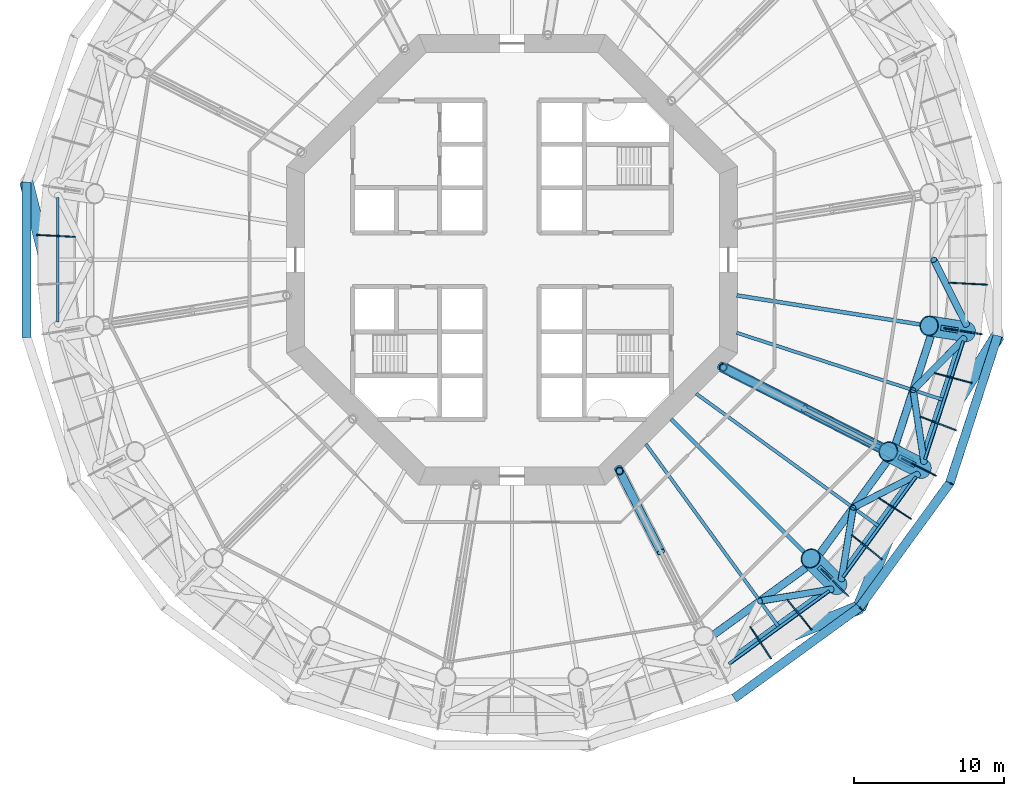
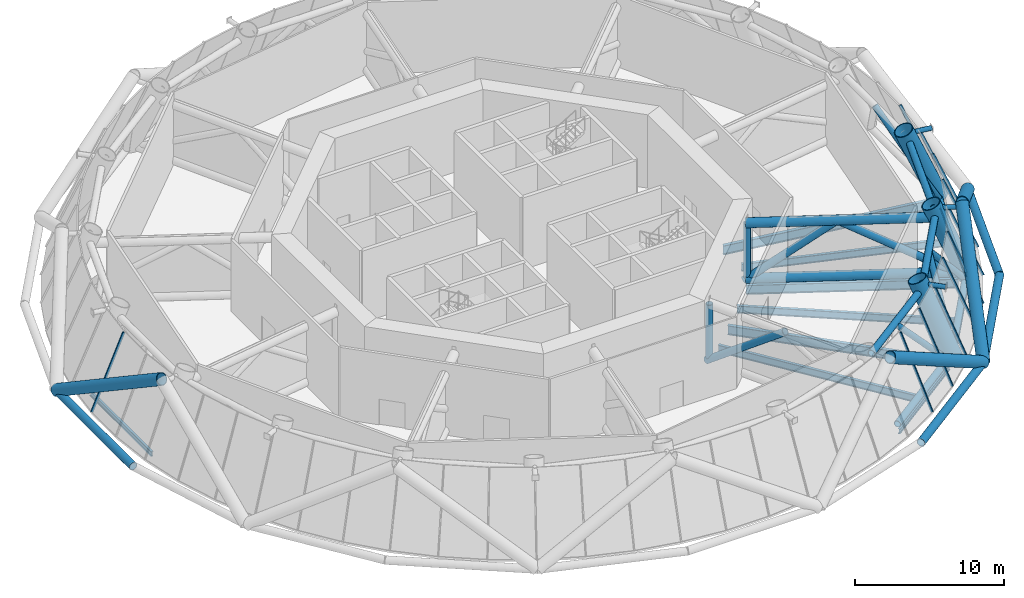
# One storey, part 3 of 18: 44 members, 10 beams, 5 elements without a shape of their own.
"""IFC4 building model written with IfcOpenShell, lengths in metres."""

from ifc_helpers import new_model, si_unit, direction, frame, origin, origin_2d, place, context, subcontext, project, spatial, rectangle, circle, hollow_circle, i_section, extrude, material, layer, layer_set, material_profile, profile_set, type_object, element, aggregate, save


model = new_model("IFC4")

# Units and contexts
model_context = context("Model", 3, precision=1e-05, world=origin(), true_north=direction((0.0, 1.0)))
body_context = subcontext(model_context, "Body", "Model", "MODEL_VIEW")
ifc_project = project(units=[si_unit("LENGTHUNIT", "METRE"), si_unit("AREAUNIT", "SQUARE_METRE"), si_unit("VOLUMEUNIT", "CUBIC_METRE"), si_unit("PLANEANGLEUNIT", "RADIAN"), si_unit("MASSUNIT", "GRAM", prefix="KILO")], contexts=[model_context])

# Site, building, storey
site_placement = place(None, origin())
site = spatial("IfcSite", under=ifc_project, at=site_placement, CompositionType="ELEMENT")
building_placement = place(site_placement, origin())
building = spatial("IfcBuilding", under=site, at=building_placement, Name="Entoto Ring Tower", CompositionType="ELEMENT")
storey_placement = place(building_placement, frame((0.0, 0.0, 138.0)))
storey = spatial("IfcBuildingStorey", under=building, at=storey_placement, Name="L31", CompositionType="ELEMENT", Elevation=138.0)

# Members
ifc_material_1 = material(Name="Steel S355", Category="steel")
ifc_material_profile_1 = material_profile(ifc_material_1, hollow_circle(Radius=0.449951171875, WallThickness=0.044921875, at=origin_2d()), Name="CHS 900 x 45")
ifc_material_2 = material(Name="Concrete C60/75", Category="concrete")
ifc_material_profile_2 = material_profile(ifc_material_2, circle(Radius=0.405029296875, at=origin_2d()), Name="Concrete C60/75 infill")
ifc_profile_set_1 = profile_set([ifc_material_profile_1, ifc_material_profile_2], Name="Steel S355")
member_type_1 = type_object("IfcMemberType", Name="Diagrid diagonal 900 x 45 concrete-filled tube", PredefinedType="BRACE", material=ifc_profile_set_1)
for number, where, z_axis, x_axis, name in (
    (1, (57.70263671875, 85.115478515625, 0.0), (0.209498607785, -0.834845945044, 0.509060488919), (0.969926946461, 0.243396217162, 0.0), "DG2 module 10 10"),
    (2, (113.122314453125, 56.877685546875, 0.0), (-0.798539539663, -0.321230348917, 0.50906351915), (0.373207322886, -0.927747969086, 0.0), "DG2 module 10 17"),
    (3, (113.122314453125, 56.877685546875, 0.0), (0.321230348917, 0.798539539663, 0.50906351915), (-0.927747969086, 0.373207322886, 0.0), "DG2 module 10 18"),
):
    element("IfcMember", number, at=place(storey_placement, frame(where, z_axis=z_axis, x_axis=x_axis)), inside=storey, type_object=member_type_1, Name=name, PredefinedType="BRACE", context=body_context, shape_type="SweptSolid", body=[
        extrude(hollow_circle(Radius=0.449951171875, WallThickness=0.044921875, at=origin_2d()), origin(), (0.0, 0.0, 1.0), 11.786376953125),
    ])
member_1_placement = place(storey_placement, frame((122.29736328125, 74.884521484375, 0.0), z_axis=(-0.457223459156, -0.729241692547, 0.509070979578), x_axis=(0.847241662915, -0.531207647366, 0.0)))
element("IfcMember", 4, at=member_1_placement, inside=storey, type_object=member_type_1, Name="DG2 module 10 19", PredefinedType="BRACE", context=body_context, shape_type="SweptSolid", body=[
    extrude(hollow_circle(Radius=0.449951171875, WallThickness=0.044921875, at=origin_2d()), origin(), (0.0, 0.0, 1.0), 11.7861328125),
])
ifc_material_3 = material(Name="Steel S355", Category="steel")
ifc_material_profile_3 = material_profile(ifc_material_3, hollow_circle(Radius=0.177734375, WallThickness=0.01611328125, at=origin_2d()), Name="CHS 355.6 x 16")
ifc_material_4 = material(Name="Concrete C60/75", Category="concrete")
ifc_material_profile_4 = material_profile(ifc_material_4, circle(Radius=0.161865234375, at=origin_2d()), Name="Concrete C60/75 infill")
ifc_profile_set_2 = profile_set([ifc_material_profile_3, ifc_material_profile_4], Name="Steel S355")
member_type_2 = type_object("IfcMemberType", Name="Diagrid node strut 355.6 x 16", PredefinedType="STRUT", material=ifc_profile_set_2)
member_2_placement = place(storey_placement, frame((110.429443359375, 59.570556640625, 5.672119140625), z_axis=(0.707106781187, -0.707106781187, 0.0), x_axis=(0.707106781187, 0.707106781187, 0.0)))
element("IfcMember", 5, at=member_2_placement, inside=storey, type_object=member_type_2, Name="DS1 strut ring 10 18", PredefinedType="STRUT", context=body_context, shape_type="SweptSolid", body=[
    extrude(hollow_circle(Radius=0.177734375, WallThickness=0.01611328125, at=origin_2d()), origin(), (0.0, 0.0, 1.0), 1.20849609375),
])
member_3_placement = place(storey_placement, frame((115.74267578125, 66.883544921875, 5.672119140625), z_axis=(0.891007115266, -0.453989339683, 0.0), x_axis=(0.453989339683, 0.891007115266, 0.0)))
element("IfcMember", 6, at=member_3_placement, inside=storey, type_object=member_type_2, Name="DS1 strut ring 10 19", PredefinedType="STRUT", context=body_context, shape_type="SweptSolid", body=[
    extrude(hollow_circle(Radius=0.177734375, WallThickness=0.01611328125, at=origin_2d()), origin(), (0.0, 0.0, 1.0), 1.208251953125),
])
member_4_placement = place(storey_placement, frame((118.535888671875, 75.48046875, 5.672119140625), z_axis=(0.987667778842, -0.156564231664, 0.0), x_axis=(0.156564231664, 0.987667778842, 0.0)))
element("IfcMember", 7, at=member_4_placement, inside=storey, type_object=member_type_2, Name="DS1 strut ring 10 20", PredefinedType="STRUT", context=body_context, shape_type="SweptSolid", body=[
    extrude(hollow_circle(Radius=0.177734375, WallThickness=0.01611328125, at=origin_2d()), origin(), (0.0, 0.0, 1.0), 1.20849609375),
])
ifc_material_5 = material(Name="Steel S355", Category="steel")
ifc_material_profile_5 = material_profile(ifc_material_5, hollow_circle(Radius=0.300048828125, WallThickness=0.030029296875, at=origin_2d()), Name="CHS 600 x 30")
ifc_material_6 = material(Name="Concrete C60/75", Category="concrete")
ifc_material_profile_6 = material_profile(ifc_material_6, circle(Radius=0.27001953125, at=origin_2d()), Name="Concrete C60/75 infill")
ifc_profile_set_3 = profile_set([ifc_material_profile_5, ifc_material_profile_6], Name="Steel S355")
member_type_3 = type_object("IfcMemberType", Name="Diagrid ring beam 600 x 30", PredefinedType="CHORD", material=ifc_profile_set_3)
member_5_placement = place(storey_placement, frame((57.70263671875, 85.182861328125, 0.0), z_axis=(0.0, -1.0, 0.0), x_axis=(1.0, 0.0, 0.0)))
element("IfcMember", 8, at=member_5_placement, inside=storey, type_object=member_type_3, Name="DR1 ring 9 09", PredefinedType="CHORD", context=body_context, shape_type="SweptSolid", body=[
    extrude(hollow_circle(Radius=0.300048828125, WallThickness=0.030029296875, at=origin_2d()), origin(), (0.0, 0.0, 1.0), 10.36572265625),
])
for number, where, z_axis, x_axis, name in (
    (9, (104.790771484375, 50.824462890625, 0.0), (0.809025235549, 0.587773909122, 0.0), (-0.587773909122, 0.809025235549, 0.0), "DR1 ring 9 16"),
    (10, (113.082763671875, 56.822998046875, 0.0), (0.587773909122, 0.809025235549, 0.0), (-0.809025235549, 0.587773909122, 0.0), "DR1 ring 9 17"),
):
    element("IfcMember", number, at=place(storey_placement, frame(where, z_axis=z_axis, x_axis=x_axis)), inside=storey, type_object=member_type_3, Name=name, PredefinedType="CHORD", context=body_context, shape_type="SweptSolid", body=[
        extrude(hollow_circle(Radius=0.300048828125, WallThickness=0.030029296875, at=origin_2d()), origin(), (0.0, 0.0, 1.0), 10.365966796875),
    ])
member_6_placement = place(storey_placement, frame((119.114990234375, 65.09033203125, 0.0), z_axis=(0.309032815696, 0.951051375491, 0.0), x_axis=(-0.951051375491, 0.309032815696, 0.0)))
element("IfcMember", 11, at=member_6_placement, inside=storey, type_object=member_type_3, Name="DR1 ring 9 18", PredefinedType="CHORD", context=body_context, shape_type="SweptSolid", body=[
    extrude(hollow_circle(Radius=0.300048828125, WallThickness=0.030029296875, at=origin_2d()), origin(), (0.0, 0.0, 1.0), 10.36572265625),
])

# Beams
ifc_material_7 = material(Name="Steel S355", Category="steel")
ifc_material_profile_7 = material_profile(ifc_material_7, i_section(OverallWidth=0.179931640625, OverallDepth=0.39990234375, WebThickness=0.008544921875, FlangeThickness=0.013427734375, FilletRadius=0.02099609375, at=origin_2d()), Name="IPE 400")
ifc_profile_set_4 = profile_set([ifc_material_profile_7], Name="Steel S355")
beam_type_1 = type_object("IfcBeamType", Name="Edge beam IPE 400", PredefinedType="SPANDREL", material=ifc_profile_set_4)
beam_1_placement = place(storey_placement, frame((59.77685546875, 84.137939453125, -0.35009765625), z_axis=(0.0, -1.0, 0.0), x_axis=(1.0, 0.0, 0.0)))
element("IfcBeam", 12, at=beam_1_placement, inside=storey, type_object=beam_type_1, Name="Edge beam L31 10", PredefinedType="SPANDREL", context=body_context, shape_type="SweptSolid", body=[
    extrude(i_section(OverallWidth=0.179931640625, OverallDepth=0.39990234375, WebThickness=0.008544921875, FlangeThickness=0.013427734375, FilletRadius=0.02099609375, at=origin_2d()), origin(), (0.0, 0.0, 1.0), 8.27587890625),
])
for number, where, z_axis, x_axis, name in (
    (13, (104.4169921875, 53.11669921875, -0.35009765625), (0.809023009896, 0.587776972549, 0.0), (-0.587776972549, 0.809023009896, 0.0), "Edge beam L31 17"),
    (14, (112.018798828125, 58.887451171875, -0.35009765625), (0.587776972549, 0.809023009896, 0.0), (-0.809023009896, 0.587776972549, 0.0), "Edge beam L31 18"),
):
    element("IfcBeam", number, at=place(storey_placement, frame(where, z_axis=z_axis, x_axis=x_axis)), inside=storey, type_object=beam_type_1, Name=name, PredefinedType="SPANDREL", context=body_context, shape_type="SweptSolid", body=[
        extrude(i_section(OverallWidth=0.179931640625, OverallDepth=0.39990234375, WebThickness=0.008544921875, FlangeThickness=0.013427734375, FilletRadius=0.02099609375, at=origin_2d()), origin(), (0.0, 0.0, 1.0), 8.276123046875),
    ])
beam_2_placement = place(storey_placement, frame((117.46533203125, 66.72509765625, -0.35009765625), z_axis=(0.309014697302, 0.951057262656, 0.0), x_axis=(-0.951057262656, 0.309014697302, 0.0)))
element("IfcBeam", 15, at=beam_2_placement, inside=storey, type_object=beam_type_1, Name="Edge beam L31 19", PredefinedType="SPANDREL", context=body_context, shape_type="SweptSolid", body=[
    extrude(i_section(OverallWidth=0.179931640625, OverallDepth=0.39990234375, WebThickness=0.008544921875, FlangeThickness=0.013427734375, FilletRadius=0.02099609375, at=origin_2d()), origin(), (0.0, 0.0, 1.0), 8.27587890625),
])

# Curtain wall, member
ifc_material_8 = material(Name="Anodised aluminium", Category="aluminium")
ifc_layer = layer(ifc_material_8, 0.10009765625)
ifc_layer_set = layer_set([ifc_layer], Name="Anodised aluminium")
curtain_wall_type = type_object("IfcCurtainWallType", Name="Louvre curtain wall system CW7", PredefinedType="NOTDEFINED", material=ifc_layer_set)
curtain_wall_1_placement = place(storey_placement, origin())
curtain_wall_1 = element("IfcCurtainWall", 16, at=curtain_wall_1_placement, inside=storey, type_object=curtain_wall_type, Name="CW7 L31-10", PredefinedType="NOTDEFINED")
ifc_material_9 = material(Name="Anodised aluminium", Category="aluminium")
ifc_material_profile_8 = material_profile(ifc_material_9, rectangle(XDim=0.080078125, YDim=0.199951171875, at=origin_2d()), Name="Mullion 80 x 200 mm anodised aluminium")
ifc_profile_set_5 = profile_set([ifc_material_profile_8], Name="Anodised aluminium")
member_type_4 = type_object("IfcMemberType", Name="Mullion 80 x 200 mm anodised aluminium", PredefinedType="MULLION", material=ifc_profile_set_5)
member_7_placement = place(storey_placement, frame((58.450927734375, 81.6533203125, 0.03857421875), z_axis=(0.384088559131, -0.020104239044, 0.923077352293), x_axis=(0.052271161513, 0.998632928395, 0.0)))
member_7 = element("IfcMember", 17, at=member_7_placement, type_object=member_type_4, Name="MULLION L31-28", PredefinedType="MULLION", context=body_context, shape_type="SweptSolid", body=[
    extrude(rectangle(XDim=0.080078125, YDim=0.199951171875, at=origin_2d()), origin(), (0.0, 0.0, 1.0), 6.25390625),
])
aggregate(curtain_wall_1, [member_7])

# Curtain wall, members
curtain_wall_2_placement = place(storey_placement, origin())
curtain_wall_2 = element("IfcCurtainWall", 18, at=curtain_wall_2_placement, inside=storey, type_object=curtain_wall_type, Name="CW7 L31-17", PredefinedType="NOTDEFINED")
member_8_placement = place(storey_placement, frame((107.206298828125, 53.50439453125, 0.03857421875), z_axis=(-0.209474462982, 0.322565689083, 0.923077367064), x_axis=(-0.838673115143, -0.544635112654, 0.0)))
member_8 = element("IfcMember", 19, at=member_8_placement, type_object=member_type_4, Name="MULLION L31-49", PredefinedType="MULLION", context=body_context, shape_type="SweptSolid", body=[
    extrude(rectangle(XDim=0.080078125, YDim=0.199951171875, at=origin_2d()), origin(), (0.0, 0.0, 1.0), 6.25390625),
])
member_9_placement = place(storey_placement, frame((109.881591796875, 55.4482421875, 0.03857421875), z_axis=(-0.242031891748, 0.298909386308, 0.923078405204), x_axis=(-0.777171592091, -0.629288738535, 0.0)))
member_9 = element("IfcMember", 20, at=member_9_placement, type_object=member_type_4, Name="MULLION L31-50", PredefinedType="MULLION", context=body_context, shape_type="SweptSolid", body=[
    extrude(rectangle(XDim=0.080078125, YDim=0.199951171875, at=origin_2d()), origin(), (0.0, 0.0, 1.0), 6.25390625),
])
aggregate(curtain_wall_2, [member_8, member_9])

curtain_wall_3_placement = place(storey_placement, origin())
curtain_wall_3 = element("IfcCurtainWall", 21, at=curtain_wall_3_placement, inside=storey, type_object=curtain_wall_type, Name="CW7 L31-18", PredefinedType="NOTDEFINED")
member_10_placement = place(storey_placement, frame((112.339111328125, 57.660888671875, 0.03857421875), z_axis=(-0.271971811529, 0.271971811529, 0.923072406405), x_axis=(-0.707106781187, -0.707106781187, 0.0)))
member_10 = element("IfcMember", 22, at=member_10_placement, type_object=member_type_4, Name="MULLION L31-51", PredefinedType="MULLION", context=body_context, shape_type="SweptSolid", body=[
    extrude(rectangle(XDim=0.080078125, YDim=0.199951171875, at=origin_2d()), origin(), (0.0, 0.0, 1.0), 6.254150390625),
])
member_11_placement = place(storey_placement, frame((114.5517578125, 60.118408203125, 0.03857421875), z_axis=(-0.298909386308, 0.242031891748, 0.923078405204), x_axis=(-0.629288738535, -0.777171592091, 0.0)))
member_11 = element("IfcMember", 23, at=member_11_placement, type_object=member_type_4, Name="MULLION L31-52", PredefinedType="MULLION", context=body_context, shape_type="SweptSolid", body=[
    extrude(rectangle(XDim=0.080078125, YDim=0.199951171875, at=origin_2d()), origin(), (0.0, 0.0, 1.0), 6.25390625),
])
member_12_placement = place(storey_placement, frame((116.49560546875, 62.793701171875, 0.03857421875), z_axis=(-0.322565689083, 0.209474462982, 0.923077367064), x_axis=(-0.544635112654, -0.838673115143, 0.0)))
member_12 = element("IfcMember", 24, at=member_12_placement, type_object=member_type_4, Name="MULLION L31-53", PredefinedType="MULLION", context=body_context, shape_type="SweptSolid", body=[
    extrude(rectangle(XDim=0.080078125, YDim=0.199951171875, at=origin_2d()), origin(), (0.0, 0.0, 1.0), 6.25390625),
])
aggregate(curtain_wall_3, [member_10, member_11, member_12])

curtain_wall_4_placement = place(storey_placement, origin())
curtain_wall_4 = element("IfcCurtainWall", 25, at=curtain_wall_4_placement, inside=storey, type_object=curtain_wall_type, Name="CW7 L31-19", PredefinedType="NOTDEFINED")
member_13_placement = place(storey_placement, frame((118.14892578125, 65.657470703125, 0.03857421875), z_axis=(-0.342707021712, 0.174613111757, 0.923072130698), x_axis=(-0.453980514773, -0.891011611713, 0.0)))
member_13 = element("IfcMember", 26, at=member_13_placement, type_object=member_type_4, Name="MULLION L31-54", PredefinedType="MULLION", context=body_context, shape_type="SweptSolid", body=[
    extrude(rectangle(XDim=0.080078125, YDim=0.199951171875, at=origin_2d()), origin(), (0.0, 0.0, 1.0), 6.254150390625),
])
member_14_placement = place(storey_placement, frame((119.493896484375, 68.67822265625, 0.03857421875), z_axis=(-0.359065607861, 0.137840906866, 0.92307733893), x_axis=(-0.358387287841, -0.933573002991, 0.0)))
member_14 = element("IfcMember", 27, at=member_14_placement, type_object=member_type_4, Name="MULLION L31-55", PredefinedType="MULLION", context=body_context, shape_type="SweptSolid", body=[
    extrude(rectangle(XDim=0.080078125, YDim=0.199951171875, at=origin_2d()), origin(), (0.0, 0.0, 1.0), 6.25390625),
])
member_15_placement = place(storey_placement, frame((120.515869140625, 71.8232421875, 0.03857421875), z_axis=(-0.371517215719, 0.099544909119, 0.923074086676), x_axis=(-0.258812183003, -0.965927664957, 0.0)))
member_15 = element("IfcMember", 28, at=member_15_placement, type_object=member_type_4, Name="MULLION L31-56", PredefinedType="MULLION", context=body_context, shape_type="SweptSolid", body=[
    extrude(rectangle(XDim=0.080078125, YDim=0.199951171875, at=origin_2d()), origin(), (0.0, 0.0, 1.0), 6.254150390625),
])
aggregate(curtain_wall_4, [member_13, member_14, member_15])

curtain_wall_5_placement = place(storey_placement, origin())
curtain_wall_5 = element("IfcCurtainWall", 29, at=curtain_wall_5_placement, inside=storey, type_object=curtain_wall_type, Name="CW7 L31-20", PredefinedType="NOTDEFINED")
member_16_placement = place(storey_placement, frame((121.203369140625, 75.057861328125, 0.03857421875), z_axis=(-0.379873712431, 0.060156755817, 0.923080238838), x_axis=(-0.156410801358, -0.987692088264, 0.0)))
member_16 = element("IfcMember", 30, at=member_16_placement, type_object=member_type_4, Name="MULLION L31-57", PredefinedType="MULLION", context=body_context, shape_type="SweptSolid", body=[
    extrude(rectangle(XDim=0.080078125, YDim=0.199951171875, at=origin_2d()), origin(), (0.0, 0.0, 1.0), 6.25390625),
])
member_17_placement = place(storey_placement, frame((121.549072265625, 78.3466796875, 0.03857421875), z_axis=(-0.384088559131, 0.020104239044, 0.923077352293), x_axis=(-0.052271161513, -0.998632928395, 0.0)))
member_17 = element("IfcMember", 31, at=member_17_placement, type_object=member_type_4, Name="MULLION L31-58", PredefinedType="MULLION", context=body_context, shape_type="SweptSolid", body=[
    extrude(rectangle(XDim=0.080078125, YDim=0.199951171875, at=origin_2d()), origin(), (0.0, 0.0, 1.0), 6.25390625),
])
aggregate(curtain_wall_5, [member_16, member_17])

# Members
ifc_material_10 = material(Name="Steel S355", Category="steel")
ifc_material_profile_9 = material_profile(ifc_material_10, hollow_circle(Radius=0.35546875, WallThickness=0.0400390625, at=origin_2d()), Name="CHS 711 x 40")
ifc_material_11 = material(Name="Concrete C60/75", Category="concrete")
ifc_material_profile_10 = material_profile(ifc_material_11, circle(Radius=0.3154296875, at=origin_2d()), Name="Concrete C60/75 infill")
ifc_profile_set_6 = profile_set([ifc_material_profile_9, ifc_material_profile_10], Name="Steel S355")
member_type_5 = type_object("IfcMemberType", Name="Outrigger chord 711 x 40", PredefinedType="CHORD", material=ifc_profile_set_6)
member_18_placement = place(storey_placement, frame((103.93212890625, 72.901123046875, 0.35546875), z_axis=(0.89100737995, -0.453988820208, 0.0), x_axis=(0.453988820208, 0.89100737995, 0.0)))
element("IfcMember", 32, at=member_18_placement, inside=storey, type_object=member_type_5, Name="OR1 L31 bottom 10", PredefinedType="CHORD", context=body_context, shape_type="SweptSolid", body=[
    extrude(hollow_circle(Radius=0.35546875, WallThickness=0.0400390625, at=origin_2d()), origin(), (0.0, 0.0, 1.0), 14.213623046875),
])
member_19_placement = place(storey_placement, frame((103.93212890625, 72.901123046875, 4.89453125), z_axis=(0.891009557714, -0.453984546061, 0.0), x_axis=(0.453984546061, 0.891009557714, 0.0)))
element("IfcMember", 33, at=member_19_placement, inside=storey, type_object=member_type_5, Name="OR1 L31 top 10", PredefinedType="CHORD", context=body_context, shape_type="SweptSolid", body=[
    extrude(hollow_circle(Radius=0.35546875, WallThickness=0.0400390625, at=origin_2d()), origin(), (0.0, 0.0, 1.0), 12.322509765625),
])
ifc_material_12 = material(Name="Steel S355", Category="steel")
ifc_material_profile_11 = material_profile(ifc_material_12, hollow_circle(Radius=0.279541015625, WallThickness=0.031982421875, at=origin_2d()), Name="CHS 559 x 32")
ifc_material_13 = material(Name="Concrete C60/75", Category="concrete")
ifc_material_profile_12 = material_profile(ifc_material_13, circle(Radius=0.24755859375, at=origin_2d()), Name="Concrete C60/75 infill")
ifc_profile_set_7 = profile_set([ifc_material_profile_11, ifc_material_profile_12], Name="Steel S355")
member_type_6 = type_object("IfcMemberType", Name="Outrigger diagonal 559 x 32", PredefinedType="BRACE", material=ifc_profile_set_7)
for number, where, z_axis, x_axis, name in (
    (34, (97.06640625, 66.131103515625, 0.20068359375), (0.363325927631, -0.712989702419, 0.599699887073), (0.890986541664, 0.454029715518, 0.0), "OR2 L31 09 1"),
    (35, (103.868896484375, 72.93359375, 0.20068359375), (0.712989702419, -0.363325927631, 0.599699887073), (0.454029715518, 0.890986541664, 0.0), "OR2 L31 10 1"),
):
    element("IfcMember", number, at=place(storey_placement, frame(where, z_axis=z_axis, x_axis=x_axis)), inside=storey, type_object=member_type_6, Name=name, PredefinedType="BRACE", context=body_context, shape_type="SweptSolid", body=[
        extrude(hollow_circle(Radius=0.279541015625, WallThickness=0.031982421875, at=origin_2d()), origin(), (0.0, 0.0, 1.0), 7.826904296875),
    ])
member_20_placement = place(storey_placement, frame((109.449462890625, 70.08984375, 4.89453125), z_axis=(0.77373913237, -0.394219192289, -0.495902191436), x_axis=(0.453971678573, 0.891016113801, 0.0)))
element("IfcMember", 36, at=member_20_placement, inside=storey, type_object=member_type_6, Name="OR2 L31 10 2", PredefinedType="BRACE", context=body_context, shape_type="SweptSolid", body=[
    extrude(hollow_circle(Radius=0.279541015625, WallThickness=0.031982421875, at=origin_2d()), origin(), (0.0, 0.0, 1.0), 9.267822265625),
])
ifc_material_14 = material(Name="Steel S355", Category="steel")
ifc_material_profile_13 = material_profile(ifc_material_14, hollow_circle(Radius=0.25390625, WallThickness=0.030029296875, at=origin_2d()), Name="CHS 508 x 30")
ifc_material_15 = material(Name="Concrete C60/75", Category="concrete")
ifc_material_profile_14 = material_profile(ifc_material_15, circle(Radius=0.22412109375, at=origin_2d()), Name="Concrete C60/75 infill")
ifc_profile_set_8 = profile_set([ifc_material_profile_13, ifc_material_profile_14], Name="Steel S355")
member_type_7 = type_object("IfcMemberType", Name="Outrigger post 508 x 30", PredefinedType="POST", material=ifc_profile_set_8)
for number, where, z_axis, x_axis, name in (
    (37, (97.160400390625, 65.947021484375, 0.35546875), (0.0, 0.0, 1.0), (1.0, 0.0, 0.0), "OR3 L31 09"),
    (38, (104.052978515625, 72.839599609375, 0.35546875), (0.0, 0.0, 1.0), (1.0, 0.0, 0.0), "OR3 L31 10"),
):
    element("IfcMember", number, at=place(storey_placement, frame(where, z_axis=z_axis, x_axis=x_axis)), inside=storey, type_object=member_type_7, Name=name, PredefinedType="POST", context=body_context, shape_type="SweptSolid", body=[
        extrude(hollow_circle(Radius=0.25390625, WallThickness=0.030029296875, at=origin_2d()), origin(), (0.0, 0.0, 1.0), 4.5390625),
    ])

# Beams
ifc_material_16 = material(Name="Steel S355", Category="steel")
ifc_material_profile_15 = material_profile(ifc_material_16, i_section(OverallWidth=0.262939453125, OverallDepth=0.7529296875, WebThickness=0.011474609375, FlangeThickness=0.01708984375, FilletRadius=0.01708984375, at=origin_2d()), Name="IPE 750 x 137")
ifc_profile_set_9 = profile_set([ifc_material_profile_15], Name="Steel S355")
beam_type_2 = type_object("IfcBeamType", Name="Primary floor beam IPE 750 x 137", PredefinedType="BEAM", material=ifc_profile_set_9)
beam_3_placement = place(storey_placement, frame((100.592529296875, 69.407470703125, -0.526611328125), z_axis=(0.707106781187, -0.707106781187, 0.0), x_axis=(0.707106781187, 0.707106781187, 0.0)))
element("IfcBeam", 39, at=beam_3_placement, inside=storey, type_object=beam_type_2, Name="Primary L31 R18", PredefinedType="BEAM", context=body_context, shape_type="SweptSolid", body=[
    extrude(i_section(OverallWidth=0.262939453125, OverallDepth=0.7529296875, WebThickness=0.011474609375, FlangeThickness=0.01708984375, FilletRadius=0.01708984375, at=origin_2d()), origin(), (0.0, 0.0, 1.0), 14.977783203125),
])
beam_4_placement = place(storey_placement, frame((103.9970703125, 72.8681640625, -0.526611328125), z_axis=(0.891005366009, -0.453992772788, 0.0), x_axis=(0.453992772788, 0.891005366009, 0.0)))
element("IfcBeam", 40, at=beam_4_placement, inside=storey, type_object=beam_type_2, Name="Primary L31 R19", PredefinedType="BEAM", context=body_context, shape_type="SweptSolid", body=[
    extrude(i_section(OverallWidth=0.262939453125, OverallDepth=0.7529296875, WebThickness=0.011474609375, FlangeThickness=0.01708984375, FilletRadius=0.01708984375, at=origin_2d()), origin(), (0.0, 0.0, 1.0), 14.24853515625),
])
beam_5_placement = place(storey_placement, frame((104.959716796875, 77.630615234375, -0.526611328125), z_axis=(0.987687608224, -0.156439088977, 0.0), x_axis=(0.156439088977, 0.987687608224, 0.0)))
element("IfcBeam", 41, at=beam_5_placement, inside=storey, type_object=beam_type_2, Name="Primary L31 R20", PredefinedType="BEAM", context=body_context, shape_type="SweptSolid", body=[
    extrude(i_section(OverallWidth=0.262939453125, OverallDepth=0.7529296875, WebThickness=0.011474609375, FlangeThickness=0.01708984375, FilletRadius=0.01708984375, at=origin_2d()), origin(), (0.0, 0.0, 1.0), 14.811767578125),
])

# Members
ifc_material_17 = material(Name="Steel S355", Category="steel")
ifc_material_profile_16 = material_profile(ifc_material_17, hollow_circle(Radius=0.675048828125, WallThickness=0.06005859375, at=origin_2d()), Name="CHS 1350 x 60")
ifc_material_18 = material(Name="Concrete C60/75", Category="concrete")
ifc_material_profile_17 = material_profile(ifc_material_18, circle(Radius=0.614990234375, at=origin_2d()), Name="Concrete C60/75 infill")
ifc_profile_set_10 = profile_set([ifc_material_profile_16, ifc_material_profile_17], Name="Steel S355")
member_type_8 = type_object("IfcMemberType", Name="Ring column jog 1350 x 60 concrete-filled tube", PredefinedType="STRUT", material=ifc_profile_set_10)
for number, where, z_axis, x_axis, name in (
    (42, (111.637451171875, 58.362548828125, 0.0), (-0.271971397377, 0.271971397377, 0.923072650455), (-0.707106781187, -0.707106781187, 0.0), "RJ2B R18"),
    (43, (117.264892578125, 66.10791015625, 0.0), (-0.342697597672, 0.174616520339, 0.923074984698), (-0.453997461601, -0.891002976909, 0.0), "RJ2B R19"),
    (44, (120.22314453125, 75.213134765625, 0.0), (-0.379850189746, 0.060172056163, 0.923088921506), (-0.156459060658, -0.987684444718, 0.0), "RJ2B R20"),
):
    element("IfcMember", number, at=place(storey_placement, frame(where, z_axis=z_axis, x_axis=x_axis)), inside=storey, type_object=member_type_8, Name=name, PredefinedType="STRUT", context=body_context, shape_type="SweptSolid", body=[
        extrude(hollow_circle(Radius=0.675048828125, WallThickness=0.06005859375, at=origin_2d()), origin(), (0.0, 0.0, 1.0), 6.5),
    ])
ifc_material_19 = material(Name="Steel S355", Category="steel")
ifc_material_profile_18 = material_profile(ifc_material_19, hollow_circle(Radius=0.25390625, WallThickness=0.030029296875, at=origin_2d()), Name="CHS 508 x 30")
ifc_material_20 = material(Name="Concrete C60/75", Category="concrete")
ifc_material_profile_19 = material_profile(ifc_material_20, circle(Radius=0.22412109375, at=origin_2d()), Name="Concrete C60/75 infill")
ifc_profile_set_11 = profile_set([ifc_material_profile_18, ifc_material_profile_19], Name="Steel S355")
member_type_9 = type_object("IfcMemberType", Name="Ring truss chord 508 x 30", PredefinedType="CHORD", material=ifc_profile_set_11)
member_21_placement = place(storey_placement, frame((104.3359375, 53.18701171875, 0.25390625), z_axis=(0.809022603088, 0.587777532484, 0.0), x_axis=(-0.587777532484, 0.809022603088, 0.0)))
element("IfcMember", 45, at=member_21_placement, inside=storey, type_object=member_type_9, Name="BT1 L31 bottom 17", PredefinedType="CHORD", context=body_context, shape_type="SweptSolid", body=[
    extrude(hollow_circle(Radius=0.25390625, WallThickness=0.030029296875, at=origin_2d()), origin(), (0.0, 0.0, 1.0), 8.32470703125),
])
member_22_placement = place(storey_placement, frame((103.3935546875, 55.036376953125, 5.236083984375), z_axis=(0.809004229416, 0.58780282135, 0.0), x_axis=(-0.58780282135, 0.809004229416, 0.0)))
element("IfcMember", 46, at=member_22_placement, inside=storey, type_object=member_type_9, Name="BT1 L31 top 17", PredefinedType="CHORD", context=body_context, shape_type="SweptSolid", body=[
    extrude(hollow_circle(Radius=0.25390625, WallThickness=0.030029296875, at=origin_2d()), origin(), (0.0, 0.0, 1.0), 7.675048828125),
])
member_23_placement = place(storey_placement, frame((111.919921875, 58.92919921875, 0.25390625), z_axis=(0.587777532484, 0.809022603088, 0.0), x_axis=(-0.809022603088, 0.587777532484, 0.0)))
element("IfcMember", 47, at=member_23_placement, inside=storey, type_object=member_type_9, Name="BT1 L31 bottom 18", PredefinedType="CHORD", context=body_context, shape_type="SweptSolid", body=[
    extrude(hollow_circle(Radius=0.25390625, WallThickness=0.030029296875, at=origin_2d()), origin(), (0.0, 0.0, 1.0), 8.32470703125),
])
member_24_placement = place(storey_placement, frame((110.4521484375, 60.397216796875, 5.236083984375), z_axis=(0.58780282135, 0.809004229416, 0.0), x_axis=(-0.809004229416, 0.58780282135, 0.0)))
element("IfcMember", 48, at=member_24_placement, inside=storey, type_object=member_type_9, Name="BT1 L31 top 18", PredefinedType="CHORD", context=body_context, shape_type="SweptSolid", body=[
    extrude(hollow_circle(Radius=0.25390625, WallThickness=0.030029296875, at=origin_2d()), origin(), (0.0, 0.0, 1.0), 7.675048828125),
])
member_25_placement = place(storey_placement, frame((117.3583984375, 66.734130859375, 0.25390625), z_axis=(0.309021747199, 0.951054971996, 0.0), x_axis=(-0.951054971996, 0.309021747199, 0.0)))
element("IfcMember", 49, at=member_25_placement, inside=storey, type_object=member_type_9, Name="BT1 L31 bottom 19", PredefinedType="CHORD", context=body_context, shape_type="SweptSolid", body=[
    extrude(hollow_circle(Radius=0.25390625, WallThickness=0.030029296875, at=origin_2d()), origin(), (0.0, 0.0, 1.0), 8.32470703125),
])
member_26_placement = place(storey_placement, frame((115.5087890625, 67.676513671875, 5.236083984375), z_axis=(0.309023496777, 0.951054403512, 0.0), x_axis=(-0.951054403512, 0.309023496777, 0.0)))
element("IfcMember", 50, at=member_26_placement, inside=storey, type_object=member_type_9, Name="BT1 L31 top 19", PredefinedType="CHORD", context=body_context, shape_type="SweptSolid", body=[
    extrude(hollow_circle(Radius=0.25390625, WallThickness=0.030029296875, at=origin_2d()), origin(), (0.0, 0.0, 1.0), 7.67529296875),
])
ifc_material_21 = material(Name="Steel S355", Category="steel")
ifc_material_profile_20 = material_profile(ifc_material_21, hollow_circle(Radius=0.228515625, WallThickness=0.02001953125, at=origin_2d()), Name="CHS 457 x 20")
ifc_material_22 = material(Name="Concrete C60/75", Category="concrete")
ifc_material_profile_21 = material_profile(ifc_material_22, circle(Radius=0.20849609375, at=origin_2d()), Name="Concrete C60/75 infill")
ifc_profile_set_12 = profile_set([ifc_material_profile_20, ifc_material_profile_21], Name="Steel S355")
member_type_10 = type_object("IfcMemberType", Name="Ring truss diagonal 457 x 20", PredefinedType="BRACE", material=ifc_profile_set_12)
for number, where, z_axis, x_axis, name in (
    (51, (106.498291015625, 57.292236328125, 5.236083984375), (0.667651678261, 0.110584625243, -0.736214830858), (-0.163405937307, 0.98655891849, 0.0), "BT2 L31 17 b"),
    (52, (111.91943359375, 58.7421875, -0.01220703125), (0.110584625243, 0.667651678261, 0.736214830858), (-0.98655891849, 0.163405937307, 0.0), "BT2 L31 18 a"),
):
    element("IfcMember", number, at=place(storey_placement, frame(where, z_axis=z_axis, x_axis=x_axis)), inside=storey, type_object=member_type_10, Name=name, PredefinedType="BRACE", context=body_context, shape_type="SweptSolid", body=[
        extrude(hollow_circle(Radius=0.228515625, WallThickness=0.02001953125, at=origin_2d()), origin(), (0.0, 0.0, 1.0), 7.128662109375),
    ])
for number, where, z_axis, x_axis, name in (
    (53, (112.707763671875, 63.501708984375, 5.236083984375), (0.600818337811, 0.311504993202, -0.736194243498), (-0.460281714879, 0.887772911812, 0.0), "BT2 L31 18 b"),
    (54, (117.41552734375, 66.555908203125, -0.01220703125), (-0.101129376835, 0.669173052268, 0.736193096449), (-0.988772439917, -0.149429120526, 0.0), "BT2 L31 19 a"),
    (55, (116.694580078125, 71.326416015625, 5.236083984375), (0.475166268021, 0.481912772872, -0.736190937921), (-0.712073526329, 0.702104901778, 0.0), "BT2 L31 19 b"),
    (56, (120.228271484375, 75.685791015625, -0.01220703125), (-0.302976847604, 0.605166030745, 0.736192301677), (-0.89419429899, -0.447679076632, 0.0), "BT2 L31 20 a"),
):
    element("IfcMember", number, at=place(storey_placement, frame(where, z_axis=z_axis, x_axis=x_axis)), inside=storey, type_object=member_type_10, Name=name, PredefinedType="BRACE", context=body_context, shape_type="SweptSolid", body=[
        extrude(hollow_circle(Radius=0.228515625, WallThickness=0.02001953125, at=origin_2d()), origin(), (0.0, 0.0, 1.0), 7.12890625),
    ])

# Beams
ifc_material_23 = material(Name="Steel S355", Category="steel")
ifc_material_profile_22 = material_profile(ifc_material_23, i_section(OverallWidth=0.219970703125, OverallDepth=0.60009765625, WebThickness=0.011962890625, FlangeThickness=0.01904296875, FilletRadius=0.02392578125, at=origin_2d()), Name="IPE 600")
ifc_profile_set_13 = profile_set([ifc_material_profile_22], Name="Steel S355")
beam_type_3 = type_object("IfcBeamType", Name="Secondary floor beam IPE 600", PredefinedType="JOIST", material=ifc_profile_set_13)
for number, where, z_axis, x_axis, name in (
    (57, (98.90478515625, 67.74365234375, -0.449951171875), (0.587782163866, -0.809019238239, 0.0), (0.809019238239, 0.587782163866, 0.0), "Secondary beam L31 17"),
    (58, (102.25634765625, 71.09521484375, -0.449951171875), (0.809019238239, -0.587782163866, 0.0), (0.587782163866, 0.809019238239, 0.0), "Secondary beam L31 18"),
):
    element("IfcBeam", number, at=place(storey_placement, frame(where, z_axis=z_axis, x_axis=x_axis)), inside=storey, type_object=beam_type_3, Name=name, PredefinedType="JOIST", context=body_context, shape_type="SweptSolid", body=[
        extrude(i_section(OverallWidth=0.219970703125, OverallDepth=0.60009765625, WebThickness=0.011962890625, FlangeThickness=0.01904296875, FilletRadius=0.02392578125, at=origin_2d()), origin(), (0.0, 0.0, 1.0), 14.983642578125),
    ])
beam_6_placement = place(storey_placement, frame((104.947021484375, 75.143310546875, -0.449951171875), z_axis=(0.951057212949, -0.309014850288, 0.0), x_axis=(0.309014850288, 0.951057212949, 0.0)))
element("IfcBeam", 59, at=beam_6_placement, inside=storey, type_object=beam_type_3, Name="Secondary beam L31 19", PredefinedType="JOIST", context=body_context, shape_type="SweptSolid", body=[
    extrude(i_section(OverallWidth=0.219970703125, OverallDepth=0.60009765625, WebThickness=0.011962890625, FlangeThickness=0.01904296875, FilletRadius=0.02392578125, at=origin_2d()), origin(), (0.0, 0.0, 1.0), 14.4169921875),
])

save(model, "model.ifc")
